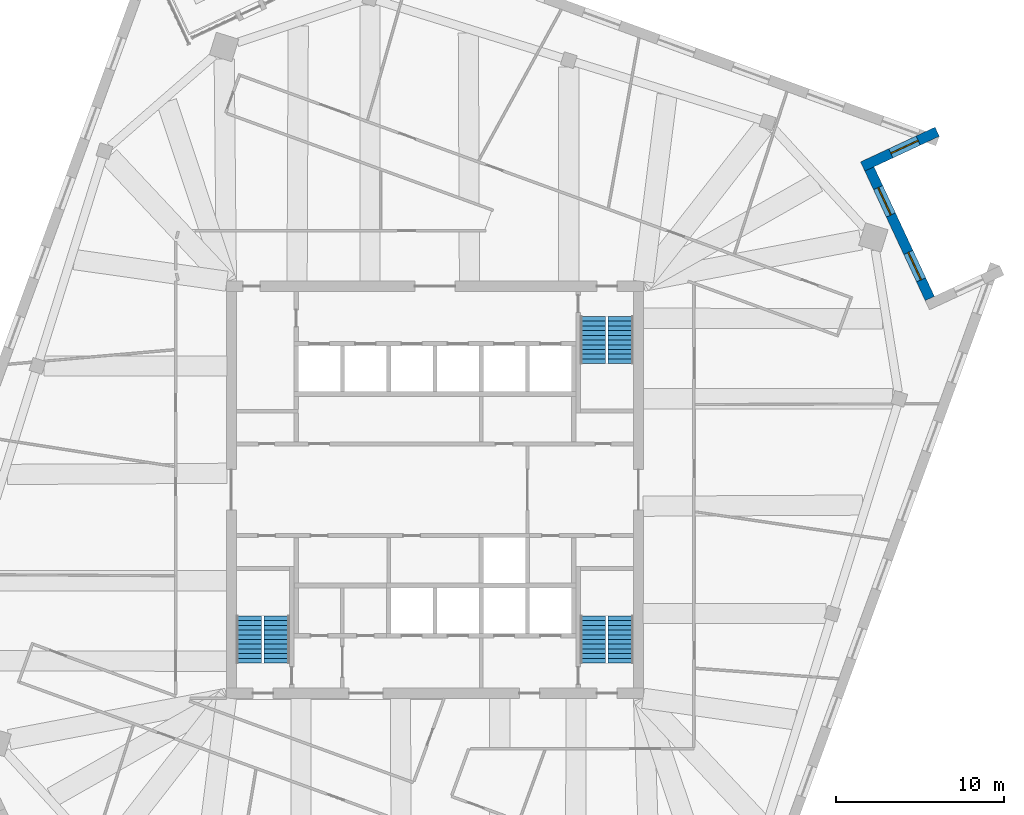
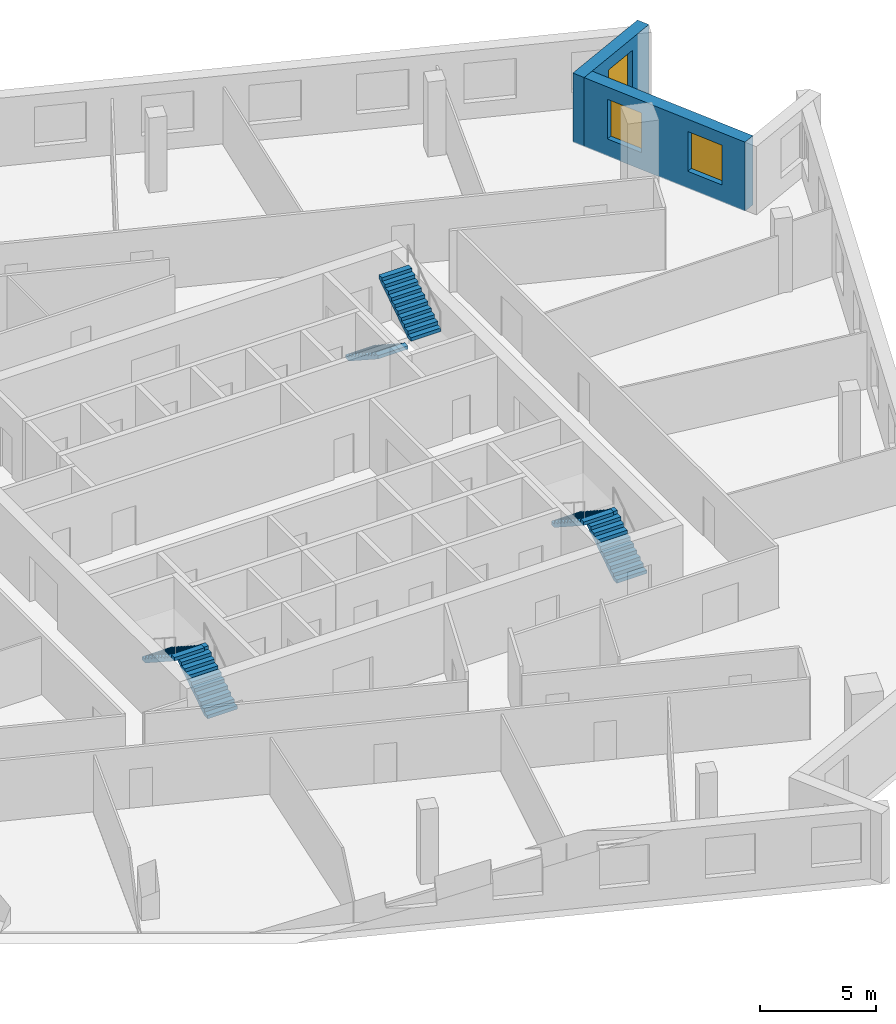
# One storey, part 11 of 13: 6 stair flights, 3 windows, 2 walls, 3 openings, 3 elements without a shape of their own.
"""IFC4 building model written with IfcOpenShell, lengths in metres."""

from ifc_helpers import new_model, si_unit, direction, frame, frame_2d, origin, place, context, subcontext, project, spatial, polyline, rectangle, outline, extrude, material, layer, layer_set, type_object, element, fill, aggregate, save


model = new_model("IFC4")

# Units and contexts
model_context = context("Model", 3, precision=1e-05, world=origin(), true_north=direction((0.0, 1.0)))
body_context = subcontext(model_context, "Body", "Model", "MODEL_VIEW")
ifc_project = project(units=[si_unit("LENGTHUNIT", "METRE"), si_unit("AREAUNIT", "SQUARE_METRE"), si_unit("VOLUMEUNIT", "CUBIC_METRE"), si_unit("PLANEANGLEUNIT", "RADIAN"), si_unit("MASSUNIT", "GRAM", prefix="KILO")], contexts=[model_context])

# Site, building, storey
site_placement = place(None, origin())
site = spatial("IfcSite", under=ifc_project, at=site_placement, CompositionType="ELEMENT")
building_placement = place(site_placement, origin())
building = spatial("IfcBuilding", under=site, at=building_placement, Name="Dilmun Exchange Tower", CompositionType="ELEMENT")
storey_placement = place(building_placement, frame((0.0, 0.0, 312.5)))
storey = spatial("IfcBuildingStorey", under=building, at=storey_placement, Name="L74", CompositionType="ELEMENT", Elevation=312.5)

# Wall, openings, windows
ifc_material_1 = material(Name="Precast concrete C50/60", Category="concrete")
ifc_layer = layer(ifc_material_1, 0.60009765625)
ifc_layer_set = layer_set([ifc_layer], Name="Precast concrete C50/60")
wall_type = type_object("IfcWallType", Name="Precast stone-clad wall 600", PredefinedType="STANDARD", material=ifc_layer_set)
wall_1_placement = place(storey_placement, frame((29.420654296875, 11.370361328125, 0.0), z_axis=(0.0, 0.0, 1.0), x_axis=(-0.42259769246, 0.906317378365, 0.0)))
wall_1 = element("IfcWall", 1, at=wall_1_placement, inside=storey, type_object=wall_type, Name="Facade wall L74-13", PredefinedType="STANDARD", context=body_context, shape_type="SweptSolid", body=[
    extrude(rectangle(XDim=8.5, YDim=0.60009765625, at=frame_2d((4.25, 0.0))), origin(), (0.0, 0.0, 1.0), 3.64990234375),
])
opening_1_placement = place(wall_1_placement, frame((1.22509765625, 0.0, 0.89990234375)))
opening_1 = element("IfcOpeningElement", 2, at=opening_1_placement, cuts=wall_1, Name="Opening W180-210", PredefinedType="OPENING", context=body_context, shape_type="SweptSolid", body=[
    extrude(rectangle(XDim=1.800048828125, YDim=2.10009765625, at=frame_2d((0.89990234375, 1.050048828125))), frame((0.0, 0.31005859375, 0.0), z_axis=(0.0, -1.0, 0.0), x_axis=(1.0, 0.0, 0.0)), (0.0, 0.0, 1.0), 0.6201171875),
])
opening_2_placement = place(wall_1_placement, frame((5.47509765625, 0.0, 0.89990234375)))
opening_2 = element("IfcOpeningElement", 3, at=opening_2_placement, cuts=wall_1, Name="Opening W180-210", PredefinedType="OPENING", context=body_context, shape_type="SweptSolid", body=[
    extrude(rectangle(XDim=1.800048828125, YDim=2.10009765625, at=frame_2d((0.89990234375, 1.050048828125))), frame((0.0, 0.31005859375, 0.0), z_axis=(0.0, -1.0, 0.0), x_axis=(1.0, 0.0, 0.0)), (0.0, 0.0, 1.0), 0.6201171875),
])
ifc_material_2 = material(Name="Clear low-emissivity glass in aluminium frame", Category="aluminium")
window_type = type_object("IfcWindowType", Name="Punched window 1800 x 2100", PartitioningType="DOUBLE_PANEL_VERTICAL", PredefinedType="WINDOW", material=ifc_material_2)
window_1_placement = place(opening_1_placement, origin())
window_1 = element("IfcWindow", 4, at=window_1_placement, inside=storey, type_object=window_type, Name="Window 14.1", OverallHeight=2.10009765625, OverallWidth=1.800048828125, PartitioningType="SINGLE_PANEL", PredefinedType="WINDOW", context=body_context, shape_type="SweptSolid", body=[
    extrude(rectangle(XDim=1.800048828125, YDim=2.10009765625, at=frame_2d((0.89990234375, 1.050048828125))), frame((0.0, 0.030029296875, 0.0), z_axis=(0.0, -1.0, 0.0), x_axis=(1.0, 0.0, 0.0)), (0.0, 0.0, 1.0), 0.06005859375),
])
fill(opening_1, window_1)
window_2_placement = place(opening_2_placement, origin())
window_2 = element("IfcWindow", 5, at=window_2_placement, inside=storey, type_object=window_type, Name="Window 14.2", OverallHeight=2.10009765625, OverallWidth=1.800048828125, PartitioningType="SINGLE_PANEL", PredefinedType="WINDOW", context=body_context, shape_type="SweptSolid", body=[
    extrude(rectangle(XDim=1.800048828125, YDim=2.10009765625, at=frame_2d((0.89990234375, 1.050048828125))), frame((0.0, 0.030029296875, 0.0), z_axis=(0.0, -1.0, 0.0), x_axis=(1.0, 0.0, 0.0)), (0.0, 0.0, 1.0), 0.06005859375),
])
fill(opening_2, window_2)

# Wall, opening, window
wall_2_placement = place(storey_placement, frame((25.4296875, 19.218994140625, 0.0), z_axis=(0.0, 0.0, 1.0), x_axis=(0.906315863802, 0.422600940628, 0.0)))
wall_2 = element("IfcWall", 6, at=wall_2_placement, inside=storey, type_object=wall_type, Name="Facade wall L74-14", PredefinedType="STANDARD", context=body_context, shape_type="SweptSolid", body=[
    extrude(rectangle(XDim=4.8857421875, YDim=0.60009765625, at=frame_2d((2.44287109375, 0.0))), origin(), (0.0, 0.0, 1.0), 3.64990234375),
])
opening_3_placement = place(wall_2_placement, frame((1.8427734375, 0.0, 0.89990234375)))
opening_3 = element("IfcOpeningElement", 7, at=opening_3_placement, cuts=wall_2, Name="Opening W180-210", PredefinedType="OPENING", context=body_context, shape_type="SweptSolid", body=[
    extrude(rectangle(XDim=1.800048828125, YDim=2.10009765625, at=frame_2d((0.89990234375, 1.050048828125))), frame((0.0, 0.31005859375, 0.0), z_axis=(0.0, -1.0, 0.0), x_axis=(1.0, 0.0, 0.0)), (0.0, 0.0, 1.0), 0.6201171875),
])
window_3_placement = place(opening_3_placement, origin())
window_3 = element("IfcWindow", 8, at=window_3_placement, inside=storey, type_object=window_type, Name="Window 15.1", OverallHeight=2.10009765625, OverallWidth=1.800048828125, PartitioningType="SINGLE_PANEL", PredefinedType="WINDOW", context=body_context, shape_type="SweptSolid", body=[
    extrude(rectangle(XDim=1.800048828125, YDim=2.10009765625, at=frame_2d((0.89990234375, 1.050048828125))), frame((0.0, 0.030029296875, 0.0), z_axis=(0.0, -1.0, 0.0), x_axis=(1.0, 0.0, 0.0)), (0.0, 0.0, 1.0), 0.06005859375),
])
fill(opening_3, window_3)

# Stair, stair flights
ifc_material_3 = material(Name="Concrete C40/50", Category="concrete")
stair_type = type_object("IfcStairType", Name="Exit stair 1500 half-turn", PredefinedType="HALF_TURN_STAIR", material=ifc_material_3)
stair_1_placement = place(storey_placement, origin())
stair_1 = element("IfcStair", 9, at=stair_1_placement, inside=storey, type_object=stair_type, Name="L74 Protected exit stair ST1", PredefinedType="HALF_TURN_STAIR")
stair_flight_type = type_object("IfcStairFlightType", Name="Exit stair flight 1500", PredefinedType="STRAIGHT", material=ifc_material_3)
stair_flight_1_placement = place(storey_placement, frame((9.39990234375, 10.300048828125, 0.0), z_axis=(0.0, 0.0, 1.0), x_axis=(0.0, -1.0, 0.0)))
stair_flight_1 = element("IfcStairFlight", 10, at=stair_flight_1_placement, type_object=stair_flight_type, Name="ST1 flight 1", NumberOfRisers=11, NumberOfTreads=10, PredefinedType="STRAIGHT", RiserHeight=0.181818182, TreadLength=0.28, context=body_context, shape_type="SweptSolid", body=[
    extrude(outline(polyline([(0.0, 0.0), (0.0, 0.181884765625), (0.280029296875, 0.181884765625), (0.280029296875, 0.363525390625), (0.56005859375, 0.363525390625), (0.56005859375, 0.54541015625), (0.840087890625, 0.54541015625), (0.840087890625, 0.727294921875), (1.1201171875, 0.727294921875), (1.1201171875, 0.9091796875), (1.39990234375, 0.9091796875), (1.39990234375, 1.0908203125), (1.679931640625, 1.0908203125), (1.679931640625, 1.272705078125), (1.9599609375, 1.272705078125), (1.9599609375, 1.45458984375), (2.239990234375, 1.45458984375), (2.239990234375, 1.636474609375), (2.52001953125, 1.636474609375), (2.52001953125, 1.818115234375), (2.800048828125, 1.818115234375), (2.800048828125, 2.0), (2.800048828125, 1.639404296875), (0.275146484375, 0.0), (0.0, 0.0)])), frame((0.0, 0.75, 0.0), z_axis=(0.0, -1.0, 0.0), x_axis=(1.0, 0.0, 0.0)), (0.0, 0.0, 1.0), 1.5),
])
stair_flight_2_placement = place(storey_placement, frame((11.050048828125, 7.5, 2.0), z_axis=(0.0, 0.0, 1.0), x_axis=(0.0, 1.0, 0.0)))
stair_flight_2 = element("IfcStairFlight", 11, at=stair_flight_2_placement, type_object=stair_flight_type, Name="ST1 flight 2", NumberOfRisers=11, NumberOfTreads=10, PredefinedType="STRAIGHT", RiserHeight=0.181818182, TreadLength=0.28, context=body_context, shape_type="SweptSolid", body=[
    extrude(outline(polyline([(0.0, 0.0), (0.0, 0.181884765625), (0.280029296875, 0.181884765625), (0.280029296875, 0.363525390625), (0.56005859375, 0.363525390625), (0.56005859375, 0.54541015625), (0.840087890625, 0.54541015625), (0.840087890625, 0.727294921875), (1.1201171875, 0.727294921875), (1.1201171875, 0.9091796875), (1.39990234375, 0.9091796875), (1.39990234375, 1.0908203125), (1.679931640625, 1.0908203125), (1.679931640625, 1.272705078125), (1.9599609375, 1.272705078125), (1.9599609375, 1.45458984375), (2.239990234375, 1.45458984375), (2.239990234375, 1.636474609375), (2.52001953125, 1.636474609375), (2.52001953125, 1.818115234375), (2.800048828125, 1.818115234375), (2.800048828125, 2.0), (2.800048828125, 1.639404296875), (0.275146484375, 0.0), (0.0, 0.0)])), frame((0.0, 0.75, 0.0), z_axis=(0.0, -1.0, 0.0), x_axis=(1.0, 0.0, 0.0)), (0.0, 0.0, 1.0), 1.5),
])
aggregate(stair_1, [stair_flight_1, stair_flight_2])

stair_2_placement = place(storey_placement, origin())
stair_2 = element("IfcStair", 12, at=stair_2_placement, inside=storey, type_object=stair_type, Name="L74 Protected exit stair ST2", PredefinedType="HALF_TURN_STAIR")
stair_flight_3_placement = place(storey_placement, frame((-9.39990234375, -10.300048828125, 0.0), z_axis=(0.0, 0.0, 1.0), x_axis=(0.0, 1.0, 0.0)))
stair_flight_3 = element("IfcStairFlight", 13, at=stair_flight_3_placement, type_object=stair_flight_type, Name="ST2 flight 1", NumberOfRisers=11, NumberOfTreads=10, PredefinedType="STRAIGHT", RiserHeight=0.181818182, TreadLength=0.28, context=body_context, shape_type="SweptSolid", body=[
    extrude(outline(polyline([(0.0, 0.0), (0.0, 0.181884765625), (0.280029296875, 0.181884765625), (0.280029296875, 0.363525390625), (0.56005859375, 0.363525390625), (0.56005859375, 0.54541015625), (0.840087890625, 0.54541015625), (0.840087890625, 0.727294921875), (1.1201171875, 0.727294921875), (1.1201171875, 0.9091796875), (1.39990234375, 0.9091796875), (1.39990234375, 1.0908203125), (1.679931640625, 1.0908203125), (1.679931640625, 1.272705078125), (1.9599609375, 1.272705078125), (1.9599609375, 1.45458984375), (2.239990234375, 1.45458984375), (2.239990234375, 1.636474609375), (2.52001953125, 1.636474609375), (2.52001953125, 1.818115234375), (2.800048828125, 1.818115234375), (2.800048828125, 2.0), (2.800048828125, 1.639404296875), (0.275146484375, 0.0), (0.0, 0.0)])), frame((0.0, 0.75, 0.0), z_axis=(0.0, -1.0, 0.0), x_axis=(1.0, 0.0, 0.0)), (0.0, 0.0, 1.0), 1.5),
])
stair_flight_4_placement = place(storey_placement, frame((-11.050048828125, -7.5, 2.0), z_axis=(0.0, 0.0, 1.0), x_axis=(0.0, -1.0, 0.0)))
stair_flight_4 = element("IfcStairFlight", 14, at=stair_flight_4_placement, type_object=stair_flight_type, Name="ST2 flight 2", NumberOfRisers=11, NumberOfTreads=10, PredefinedType="STRAIGHT", RiserHeight=0.181818182, TreadLength=0.28, context=body_context, shape_type="SweptSolid", body=[
    extrude(outline(polyline([(0.0, 0.0), (0.0, 0.181884765625), (0.280029296875, 0.181884765625), (0.280029296875, 0.363525390625), (0.56005859375, 0.363525390625), (0.56005859375, 0.54541015625), (0.840087890625, 0.54541015625), (0.840087890625, 0.727294921875), (1.1201171875, 0.727294921875), (1.1201171875, 0.9091796875), (1.39990234375, 0.9091796875), (1.39990234375, 1.0908203125), (1.679931640625, 1.0908203125), (1.679931640625, 1.272705078125), (1.9599609375, 1.272705078125), (1.9599609375, 1.45458984375), (2.239990234375, 1.45458984375), (2.239990234375, 1.636474609375), (2.52001953125, 1.636474609375), (2.52001953125, 1.818115234375), (2.800048828125, 1.818115234375), (2.800048828125, 2.0), (2.800048828125, 1.639404296875), (0.275146484375, 0.0), (0.0, 0.0)])), frame((0.0, 0.75, 0.0), z_axis=(0.0, -1.0, 0.0), x_axis=(1.0, 0.0, 0.0)), (0.0, 0.0, 1.0), 1.5),
])
aggregate(stair_2, [stair_flight_3, stair_flight_4])

stair_3_placement = place(storey_placement, origin())
stair_3 = element("IfcStair", 15, at=stair_3_placement, inside=storey, type_object=stair_type, Name="L74 Protected exit stair ST3", PredefinedType="HALF_TURN_STAIR")
stair_flight_5_placement = place(storey_placement, frame((11.050048828125, -10.300048828125, 0.0), z_axis=(0.0, 0.0, 1.0), x_axis=(0.0, 1.0, 0.0)))
stair_flight_5 = element("IfcStairFlight", 16, at=stair_flight_5_placement, type_object=stair_flight_type, Name="ST3 flight 1", NumberOfRisers=11, NumberOfTreads=10, PredefinedType="STRAIGHT", RiserHeight=0.181818182, TreadLength=0.28, context=body_context, shape_type="SweptSolid", body=[
    extrude(outline(polyline([(0.0, 0.0), (0.0, 0.181884765625), (0.280029296875, 0.181884765625), (0.280029296875, 0.363525390625), (0.56005859375, 0.363525390625), (0.56005859375, 0.54541015625), (0.840087890625, 0.54541015625), (0.840087890625, 0.727294921875), (1.1201171875, 0.727294921875), (1.1201171875, 0.9091796875), (1.39990234375, 0.9091796875), (1.39990234375, 1.0908203125), (1.679931640625, 1.0908203125), (1.679931640625, 1.272705078125), (1.9599609375, 1.272705078125), (1.9599609375, 1.45458984375), (2.239990234375, 1.45458984375), (2.239990234375, 1.636474609375), (2.52001953125, 1.636474609375), (2.52001953125, 1.818115234375), (2.800048828125, 1.818115234375), (2.800048828125, 2.0), (2.800048828125, 1.639404296875), (0.275146484375, 0.0), (0.0, 0.0)])), frame((0.0, 0.75, 0.0), z_axis=(0.0, -1.0, 0.0), x_axis=(1.0, 0.0, 0.0)), (0.0, 0.0, 1.0), 1.5),
])
stair_flight_6_placement = place(storey_placement, frame((9.39990234375, -7.5, 2.0), z_axis=(0.0, 0.0, 1.0), x_axis=(0.0, -1.0, 0.0)))
stair_flight_6 = element("IfcStairFlight", 17, at=stair_flight_6_placement, type_object=stair_flight_type, Name="ST3 flight 2", NumberOfRisers=11, NumberOfTreads=10, PredefinedType="STRAIGHT", RiserHeight=0.181818182, TreadLength=0.28, context=body_context, shape_type="SweptSolid", body=[
    extrude(outline(polyline([(0.0, 0.0), (0.0, 0.181884765625), (0.280029296875, 0.181884765625), (0.280029296875, 0.363525390625), (0.56005859375, 0.363525390625), (0.56005859375, 0.54541015625), (0.840087890625, 0.54541015625), (0.840087890625, 0.727294921875), (1.1201171875, 0.727294921875), (1.1201171875, 0.9091796875), (1.39990234375, 0.9091796875), (1.39990234375, 1.0908203125), (1.679931640625, 1.0908203125), (1.679931640625, 1.272705078125), (1.9599609375, 1.272705078125), (1.9599609375, 1.45458984375), (2.239990234375, 1.45458984375), (2.239990234375, 1.636474609375), (2.52001953125, 1.636474609375), (2.52001953125, 1.818115234375), (2.800048828125, 1.818115234375), (2.800048828125, 2.0), (2.800048828125, 1.639404296875), (0.275146484375, 0.0), (0.0, 0.0)])), frame((0.0, 0.75, 0.0), z_axis=(0.0, -1.0, 0.0), x_axis=(1.0, 0.0, 0.0)), (0.0, 0.0, 1.0), 1.5),
])
aggregate(stair_3, [stair_flight_5, stair_flight_6])

save(model, "model.ifc")
